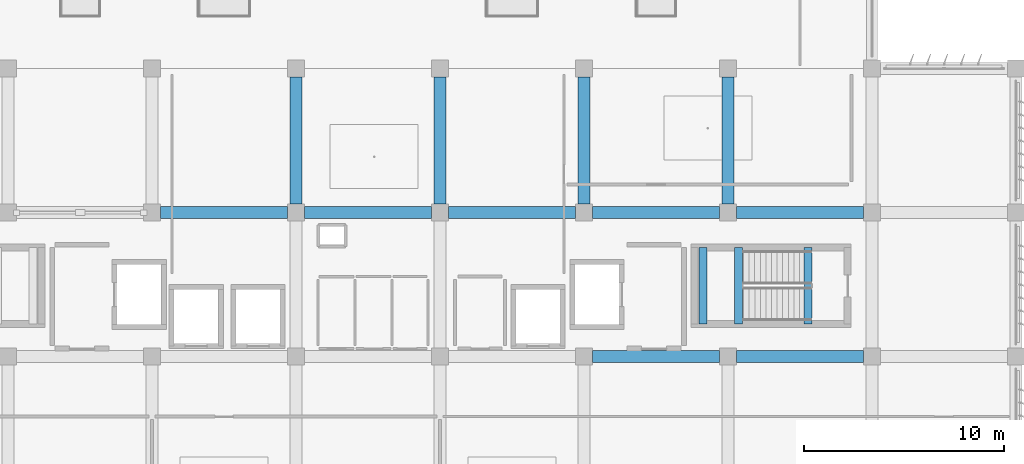
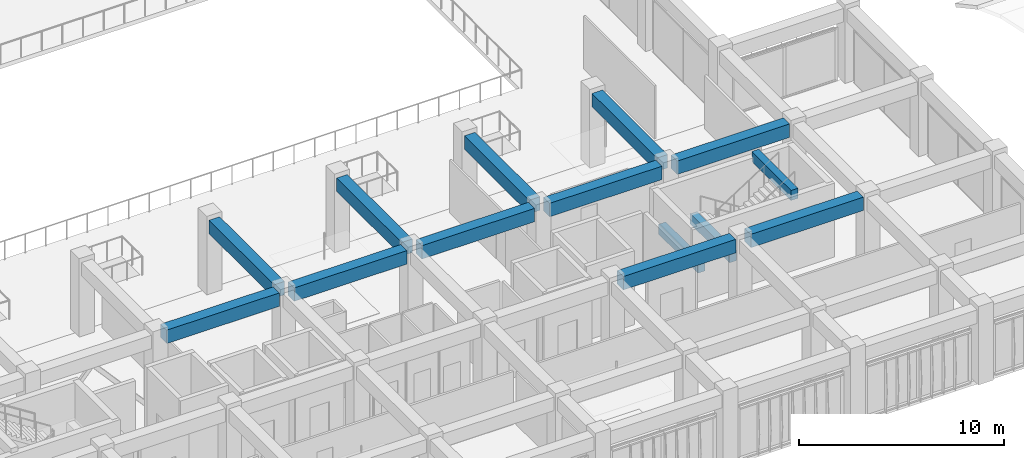
# One storey, part 17 of 55: 14 beams.
"""IFC4 building model written with IfcOpenShell, lengths in metres."""

from ifc_helpers import new_model, si_unit, direction, frame, origin, origin_2d, place, context, subcontext, project, spatial, rectangle, extrude, material, material_profile, profile_set, type_object, element, save


model = new_model("IFC4")

# Units and contexts
model_context = context("Model", 3, precision=1e-05, world=origin(), true_north=direction((0.0, 1.0)))
body_context = subcontext(model_context, "Body", "Model", "MODEL_VIEW")
ifc_project = project(units=[si_unit("LENGTHUNIT", "METRE"), si_unit("AREAUNIT", "SQUARE_METRE"), si_unit("VOLUMEUNIT", "CUBIC_METRE"), si_unit("PLANEANGLEUNIT", "RADIAN"), si_unit("MASSUNIT", "GRAM", prefix="KILO")], contexts=[model_context])

# Site, building, storey
site_placement = place(None, origin())
site = spatial("IfcSite", under=ifc_project, at=site_placement, CompositionType="ELEMENT")
building_placement = place(site_placement, origin())
building = spatial("IfcBuilding", under=site, at=building_placement, Name="Kazehaya Institute of Natural Sciences", CompositionType="ELEMENT")
storey_placement = place(building_placement, frame((0.0, 0.0, 15.1201171875)))
storey = spatial("IfcBuildingStorey", under=building, at=storey_placement, Name="L03", CompositionType="ELEMENT", Elevation=15.1201171875)

# Beams
ifc_material = material(Name="Concrete Fc36", Category="concrete")
ifc_material_profile_1 = material_profile(ifc_material, rectangle(XDim=0.39990234375, YDim=0.60009765625, at=origin_2d()), Name="RC-400x600")
ifc_profile_set_1 = profile_set([ifc_material_profile_1], Name="Concrete Fc36")
beam_type_1 = type_object("IfcBeamType", Name="BM-B-400x600", PredefinedType="BEAM", material=ifc_profile_set_1)
for number, where, z_axis, x_axis, name in (
    (1, (109.0, 22.820068359375, 4.3798828125), (0.0, 1.0, 0.0), (-1.0, 0.0, 0.0), "L04 ST-2 stair header trimmer beam"),
    (2, (103.75, 22.820068359375, 1.8798828125), (0.0, 1.0, 0.0), (-1.0, 0.0, 0.0), "L03 ST-2 landing beam 1"),
    (3, (105.530029296875, 22.820068359375, 1.8798828125), (0.0, 1.0, 0.0), (-1.0, 0.0, 0.0), "L03 ST-2 landing beam 2"),
):
    element("IfcBeam", number, at=place(storey_placement, frame(where, z_axis=z_axis, x_axis=x_axis)), inside=storey, type_object=beam_type_1, Name=name, PredefinedType="BEAM", context=body_context, shape_type="SweptSolid", body=[
        extrude(rectangle(XDim=0.39990234375, YDim=0.60009765625, at=origin_2d()), origin(), (0.0, 0.0, 1.0), 3.83984375),
    ])
ifc_material_profile_2 = material_profile(ifc_material, rectangle(XDim=0.60009765625, YDim=0.800048828125, at=origin_2d()), Name="RC-600x800")
ifc_profile_set_2 = profile_set([ifc_material_profile_2], Name="Concrete Fc36")
beam_type_2 = type_object("IfcBeamType", Name="BM-G-600x800", PredefinedType="BEAM", material=ifc_profile_set_2)
for number, where, z_axis, x_axis, name in (
    (4, (98.22509765625, 21.199951171875, 4.009765625), (1.0, 0.0, 0.0), (0.0, 1.0, 0.0), "L03 primary X girder BMX-L03-978-212"),
    (5, (105.425048828125, 21.199951171875, 4.009765625), (1.0, 0.0, 0.0), (0.0, 1.0, 0.0), "L03 primary X girder BMX-L03-1050-212"),
):
    element("IfcBeam", number, at=place(storey_placement, frame(where, z_axis=z_axis, x_axis=x_axis)), inside=storey, type_object=beam_type_2, Name=name, PredefinedType="BEAM", context=body_context, shape_type="SweptSolid", body=[
        extrude(rectangle(XDim=0.60009765625, YDim=0.800048828125, at=origin_2d()), origin(), (0.0, 0.0, 1.0), 6.349853515625),
    ])
for number, where, z_axis, x_axis, name in (
    (6, (76.625, 28.39990234375, 4.009765625), (1.0, 0.0, 0.0), (0.0, 1.0, 0.0), "L03 primary X girder BMX-L03-762-284"),
    (7, (83.824951171875, 28.39990234375, 4.009765625), (1.0, 0.0, 0.0), (0.0, 1.0, 0.0), "L03 primary X girder BMX-L03-834-284"),
    (8, (91.02490234375, 28.39990234375, 4.009765625), (1.0, 0.0, 0.0), (0.0, 1.0, 0.0), "L03 primary X girder BMX-L03-906-284"),
):
    element("IfcBeam", number, at=place(storey_placement, frame(where, z_axis=z_axis, x_axis=x_axis)), inside=storey, type_object=beam_type_2, Name=name, PredefinedType="BEAM", context=body_context, shape_type="SweptSolid", body=[
        extrude(rectangle(XDim=0.60009765625, YDim=0.800048828125, at=origin_2d()), origin(), (0.0, 0.0, 1.0), 6.35009765625),
    ])
for number, where, z_axis, x_axis, name in (
    (9, (98.22509765625, 28.39990234375, 4.009765625), (1.0, 0.0, 0.0), (0.0, 1.0, 0.0), "L03 primary X girder BMX-L03-978-284"),
    (10, (105.425048828125, 28.39990234375, 4.009765625), (1.0, 0.0, 0.0), (0.0, 1.0, 0.0), "L03 primary X girder BMX-L03-1050-284"),
):
    element("IfcBeam", number, at=place(storey_placement, frame(where, z_axis=z_axis, x_axis=x_axis)), inside=storey, type_object=beam_type_2, Name=name, PredefinedType="BEAM", context=body_context, shape_type="SweptSolid", body=[
        extrude(rectangle(XDim=0.60009765625, YDim=0.800048828125, at=origin_2d()), origin(), (0.0, 0.0, 1.0), 6.349853515625),
    ])
for number, where, z_axis, x_axis, name in (
    (11, (83.39990234375, 28.824951171875, 4.009765625), (0.0, 1.0, 0.0), (-1.0, 0.0, 0.0), "L03 primary Y girder BMY-L03-834-284"),
    (12, (90.60009765625, 28.824951171875, 4.009765625), (0.0, 1.0, 0.0), (-1.0, 0.0, 0.0), "L03 primary Y girder BMY-L03-906-284"),
    (13, (97.800048828125, 28.824951171875, 4.009765625), (0.0, 1.0, 0.0), (-1.0, 0.0, 0.0), "L03 primary Y girder BMY-L03-978-284"),
    (14, (105.0, 28.824951171875, 4.009765625), (0.0, 1.0, 0.0), (-1.0, 0.0, 0.0), "L03 primary Y girder BMY-L03-1050-284"),
):
    element("IfcBeam", number, at=place(storey_placement, frame(where, z_axis=z_axis, x_axis=x_axis)), inside=storey, type_object=beam_type_2, Name=name, PredefinedType="BEAM", context=body_context, shape_type="SweptSolid", body=[
        extrude(rectangle(XDim=0.60009765625, YDim=0.800048828125, at=origin_2d()), origin(), (0.0, 0.0, 1.0), 6.35009765625),
    ])

save(model, "model.ifc")
